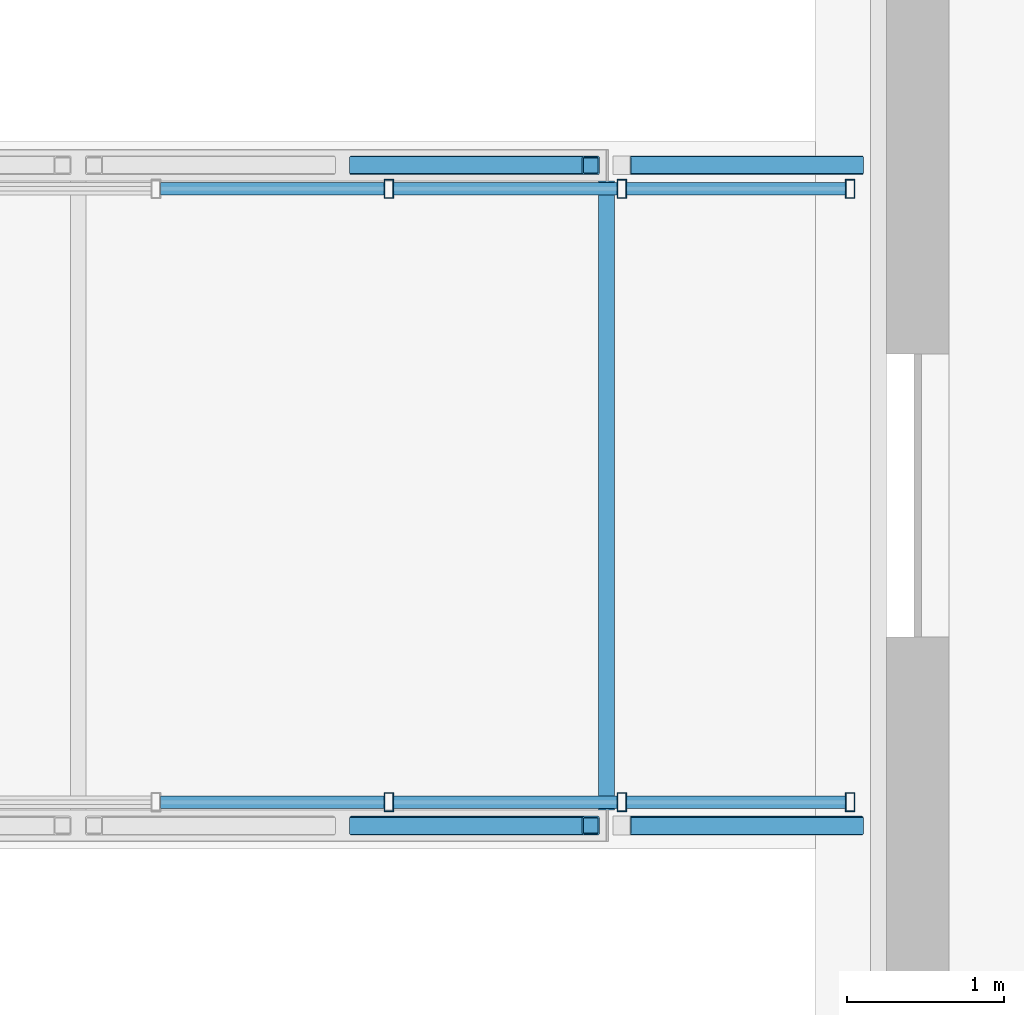
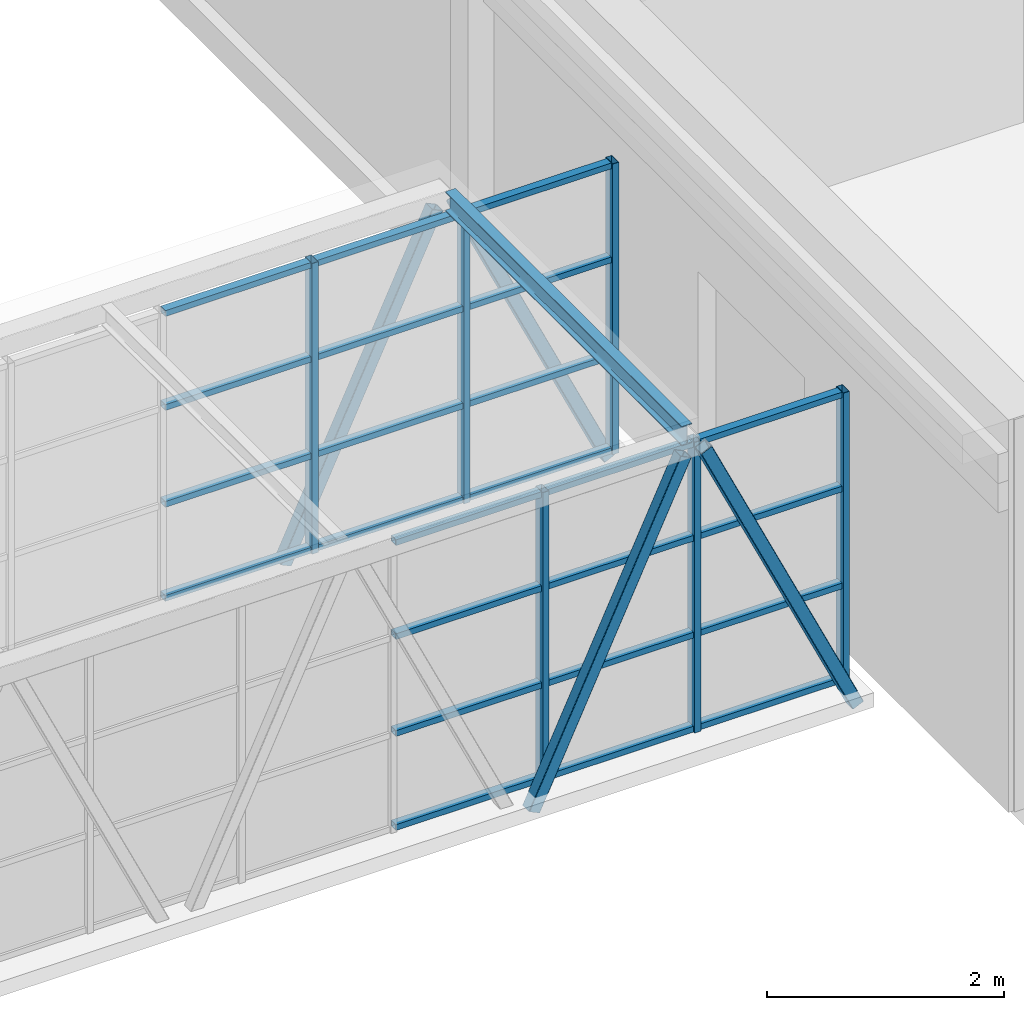
# One storey, part 70 of 149: 34 members, 1 beam, 2 elements without a shape of their own.
"""IFC4 building model written with IfcOpenShell, lengths in metres."""

from ifc_helpers import new_model, si_unit, direction, frame, origin, origin_2d, place, context, subcontext, project, spatial, hollow_rectangle, i_section, extrude, material, material_profile, profile_set, type_object, element, aggregate, save


model = new_model("IFC4")

# Units and contexts
model_context = context("Model", 3, precision=1e-05, world=origin(), true_north=direction((0.0, 1.0)))
body_context = subcontext(model_context, "Body", "Model", "MODEL_VIEW")
ifc_project = project(units=[si_unit("LENGTHUNIT", "METRE"), si_unit("AREAUNIT", "SQUARE_METRE"), si_unit("VOLUMEUNIT", "CUBIC_METRE"), si_unit("PLANEANGLEUNIT", "RADIAN"), si_unit("MASSUNIT", "GRAM", prefix="KILO")], contexts=[model_context])

# Site, building, storey
site_placement = place(None, origin())
site = spatial("IfcSite", under=ifc_project, at=site_placement, CompositionType="ELEMENT")
building_placement = place(site_placement, origin())
building = spatial("IfcBuilding", under=site, at=building_placement, Name="Kallimachos Central Library", CompositionType="ELEMENT")
storey_placement = place(building_placement, frame((0.0, 0.0, 9.89990234375)))
storey = spatial("IfcBuildingStorey", under=building, at=storey_placement, Name="L02", CompositionType="ELEMENT", Elevation=9.89990234375)

# Curtain wall, members
ifc_material_1 = material(Name="Aluminium and laminated glass", Category="aluminium")
curtain_wall_type = type_object("IfcCurtainWallType", Name="Link glazed wall", PredefinedType="NOTDEFINED", material=ifc_material_1)
curtain_wall_1_placement = place(storey_placement, origin())
curtain_wall_1 = element("IfcCurtainWall", 1, at=curtain_wall_1_placement, inside=storey, type_object=curtain_wall_type, Name="V1 to V3 bridge glazed side", PredefinedType="NOTDEFINED")
ifc_material_2 = material(Name="Anodised aluminium", Category="aluminium")
ifc_material_profile_1 = material_profile(ifc_material_2, hollow_rectangle(XDim=0.06005859375, YDim=0.1201171875, WallThickness=0.00390625, at=origin_2d()), Name="ALU MULLION 60x120")
ifc_profile_set_1 = profile_set([ifc_material_profile_1], Name="Anodised aluminium")
member_type_1 = type_object("IfcMemberType", Name="ALU MULLION 60x120 mullion", PredefinedType="MULLION", material=ifc_profile_set_1)
member_1_placement = place(storey_placement, frame((134.63623046875, 98.550048828125, 0.0), z_axis=(0.0, 0.0, 1.0), x_axis=(1.0, 0.0, 0.0)))
member_1 = element("IfcMember", 2, at=member_1_placement, type_object=member_type_1, Name="CW74 mullion 17", PredefinedType="MULLION", context=body_context, shape_type="SweptSolid", body=[
    extrude(hollow_rectangle(XDim=0.06005859375, YDim=0.1201171875, WallThickness=0.00390625, at=origin_2d()), origin(), (0.0, 0.0, 1.0), 3.0),
])
member_2_placement = place(storey_placement, frame((136.1181640625, 98.550048828125, 0.0), z_axis=(0.0, 0.0, 1.0), x_axis=(1.0, 0.0, 0.0)))
member_2 = element("IfcMember", 3, at=member_2_placement, type_object=member_type_1, Name="CW74 mullion 18", PredefinedType="MULLION", context=body_context, shape_type="SweptSolid", body=[
    extrude(hollow_rectangle(XDim=0.06005859375, YDim=0.1201171875, WallThickness=0.00390625, at=origin_2d()), origin(), (0.0, 0.0, 1.0), 3.0),
])
member_3_placement = place(storey_placement, frame((137.570068359375, 98.550048828125, 0.0), z_axis=(0.0, 0.0, 1.0), x_axis=(1.0, 0.0, 0.0)))
member_3 = element("IfcMember", 4, at=member_3_placement, type_object=member_type_1, Name="CW74 mullion 19", PredefinedType="MULLION", context=body_context, shape_type="SweptSolid", body=[
    extrude(hollow_rectangle(XDim=0.06005859375, YDim=0.1201171875, WallThickness=0.00390625, at=origin_2d()), origin(), (0.0, 0.0, 1.0), 3.0),
])

curtain_wall_2_placement = place(storey_placement, origin())
curtain_wall_2 = element("IfcCurtainWall", 5, at=curtain_wall_2_placement, inside=storey, type_object=curtain_wall_type, Name="V1 to V3 bridge glazed side", PredefinedType="NOTDEFINED")
member_4_placement = place(storey_placement, frame((134.63623046875, 102.449951171875, 0.0), z_axis=(0.0, 0.0, 1.0), x_axis=(1.0, 0.0, 0.0)))
member_4 = element("IfcMember", 6, at=member_4_placement, type_object=member_type_1, Name="CW75 mullion 17", PredefinedType="MULLION", context=body_context, shape_type="SweptSolid", body=[
    extrude(hollow_rectangle(XDim=0.06005859375, YDim=0.1201171875, WallThickness=0.00390625, at=origin_2d()), origin(), (0.0, 0.0, 1.0), 3.0),
])
member_5_placement = place(storey_placement, frame((136.1181640625, 102.449951171875, 0.0), z_axis=(0.0, 0.0, 1.0), x_axis=(1.0, 0.0, 0.0)))
member_5 = element("IfcMember", 7, at=member_5_placement, type_object=member_type_1, Name="CW75 mullion 18", PredefinedType="MULLION", context=body_context, shape_type="SweptSolid", body=[
    extrude(hollow_rectangle(XDim=0.06005859375, YDim=0.1201171875, WallThickness=0.00390625, at=origin_2d()), origin(), (0.0, 0.0, 1.0), 3.0),
])
member_6_placement = place(storey_placement, frame((137.570068359375, 102.449951171875, 0.0), z_axis=(0.0, 0.0, 1.0), x_axis=(1.0, 0.0, 0.0)))
member_6 = element("IfcMember", 8, at=member_6_placement, type_object=member_type_1, Name="CW75 mullion 19", PredefinedType="MULLION", context=body_context, shape_type="SweptSolid", body=[
    extrude(hollow_rectangle(XDim=0.06005859375, YDim=0.1201171875, WallThickness=0.00390625, at=origin_2d()), origin(), (0.0, 0.0, 1.0), 3.0),
])

# Member
ifc_material_3 = material(Name="Anodised aluminium", Category="aluminium")
ifc_material_profile_2 = material_profile(ifc_material_3, hollow_rectangle(XDim=0.06005859375, YDim=0.080078125, WallThickness=0.00390625, at=origin_2d()), Name="ALU TRANSOM 60x80")
ifc_profile_set_2 = profile_set([ifc_material_profile_2], Name="Anodised aluminium")
member_type_2 = type_object("IfcMemberType", Name="ALU TRANSOM 60x80 transom", PredefinedType="USERDEFINED", material=ifc_profile_set_2)
member_7_placement = place(storey_placement, frame((133.18408203125, 98.550048828125, 0.030029296875), z_axis=(1.0, 0.0, 0.0), x_axis=(0.0, 0.0, 1.0)))
member_7 = element("IfcMember", 9, at=member_7_placement, type_object=member_type_2, Name="CW74 transom 16.1", ObjectType="TRANSOM", PredefinedType="USERDEFINED", context=body_context, shape_type="SweptSolid", body=[
    extrude(hollow_rectangle(XDim=0.06005859375, YDim=0.080078125, WallThickness=0.00390625, at=origin_2d()), origin(), (0.0, 0.0, 1.0), 1.422119140625),
])

member_8_placement = place(storey_placement, frame((133.18408203125, 98.550048828125, 1.0), z_axis=(1.0, 0.0, 0.0), x_axis=(0.0, 0.0, 1.0)))
member_8 = element("IfcMember", 10, at=member_8_placement, type_object=member_type_2, Name="CW74 transom 16.2", ObjectType="TRANSOM", PredefinedType="USERDEFINED", context=body_context, shape_type="SweptSolid", body=[
    extrude(hollow_rectangle(XDim=0.06005859375, YDim=0.080078125, WallThickness=0.00390625, at=origin_2d()), origin(), (0.0, 0.0, 1.0), 1.422119140625),
])

member_9_placement = place(storey_placement, frame((133.18408203125, 98.550048828125, 2.0), z_axis=(1.0, 0.0, 0.0), x_axis=(0.0, 0.0, 1.0)))
member_9 = element("IfcMember", 11, at=member_9_placement, type_object=member_type_2, Name="CW74 transom 16.3", ObjectType="TRANSOM", PredefinedType="USERDEFINED", context=body_context, shape_type="SweptSolid", body=[
    extrude(hollow_rectangle(XDim=0.06005859375, YDim=0.080078125, WallThickness=0.00390625, at=origin_2d()), origin(), (0.0, 0.0, 1.0), 1.422119140625),
])

member_10_placement = place(storey_placement, frame((133.18408203125, 98.550048828125, 2.97021484375), z_axis=(1.0, 0.0, 0.0), x_axis=(0.0, 0.0, 1.0)))
member_10 = element("IfcMember", 12, at=member_10_placement, type_object=member_type_2, Name="CW74 transom 16.4", ObjectType="TRANSOM", PredefinedType="USERDEFINED", context=body_context, shape_type="SweptSolid", body=[
    extrude(hollow_rectangle(XDim=0.06005859375, YDim=0.080078125, WallThickness=0.00390625, at=origin_2d()), origin(), (0.0, 0.0, 1.0), 1.422119140625),
])

member_11_placement = place(storey_placement, frame((134.666015625, 98.550048828125, 0.030029296875), z_axis=(1.0, 0.0, 0.0), x_axis=(0.0, 0.0, 1.0)))
member_11 = element("IfcMember", 13, at=member_11_placement, type_object=member_type_2, Name="CW74 transom 17.1", ObjectType="TRANSOM", PredefinedType="USERDEFINED", context=body_context, shape_type="SweptSolid", body=[
    extrude(hollow_rectangle(XDim=0.06005859375, YDim=0.080078125, WallThickness=0.00390625, at=origin_2d()), origin(), (0.0, 0.0, 1.0), 1.422119140625),
])

member_12_placement = place(storey_placement, frame((134.666015625, 98.550048828125, 1.0), z_axis=(1.0, 0.0, 0.0), x_axis=(0.0, 0.0, 1.0)))
member_12 = element("IfcMember", 14, at=member_12_placement, type_object=member_type_2, Name="CW74 transom 17.2", ObjectType="TRANSOM", PredefinedType="USERDEFINED", context=body_context, shape_type="SweptSolid", body=[
    extrude(hollow_rectangle(XDim=0.06005859375, YDim=0.080078125, WallThickness=0.00390625, at=origin_2d()), origin(), (0.0, 0.0, 1.0), 1.422119140625),
])

member_13_placement = place(storey_placement, frame((134.666015625, 98.550048828125, 2.0), z_axis=(1.0, 0.0, 0.0), x_axis=(0.0, 0.0, 1.0)))
member_13 = element("IfcMember", 15, at=member_13_placement, type_object=member_type_2, Name="CW74 transom 17.3", ObjectType="TRANSOM", PredefinedType="USERDEFINED", context=body_context, shape_type="SweptSolid", body=[
    extrude(hollow_rectangle(XDim=0.06005859375, YDim=0.080078125, WallThickness=0.00390625, at=origin_2d()), origin(), (0.0, 0.0, 1.0), 1.422119140625),
])

member_14_placement = place(storey_placement, frame((134.666015625, 98.550048828125, 2.97021484375), z_axis=(1.0, 0.0, 0.0), x_axis=(0.0, 0.0, 1.0)))
member_14 = element("IfcMember", 16, at=member_14_placement, type_object=member_type_2, Name="CW74 transom 17.4", ObjectType="TRANSOM", PredefinedType="USERDEFINED", context=body_context, shape_type="SweptSolid", body=[
    extrude(hollow_rectangle(XDim=0.06005859375, YDim=0.080078125, WallThickness=0.00390625, at=origin_2d()), origin(), (0.0, 0.0, 1.0), 1.422119140625),
])

member_15_placement = place(storey_placement, frame((136.14794921875, 98.550048828125, 0.030029296875), z_axis=(1.0, 0.0, 0.0), x_axis=(0.0, 0.0, 1.0)))
member_15 = element("IfcMember", 17, at=member_15_placement, type_object=member_type_2, Name="CW74 transom 18.1", ObjectType="TRANSOM", PredefinedType="USERDEFINED", context=body_context, shape_type="SweptSolid", body=[
    extrude(hollow_rectangle(XDim=0.06005859375, YDim=0.080078125, WallThickness=0.00390625, at=origin_2d()), origin(), (0.0, 0.0, 1.0), 1.39208984375),
])

member_16_placement = place(storey_placement, frame((136.14794921875, 98.550048828125, 1.0), z_axis=(1.0, 0.0, 0.0), x_axis=(0.0, 0.0, 1.0)))
member_16 = element("IfcMember", 18, at=member_16_placement, type_object=member_type_2, Name="CW74 transom 18.2", ObjectType="TRANSOM", PredefinedType="USERDEFINED", context=body_context, shape_type="SweptSolid", body=[
    extrude(hollow_rectangle(XDim=0.06005859375, YDim=0.080078125, WallThickness=0.00390625, at=origin_2d()), origin(), (0.0, 0.0, 1.0), 1.39208984375),
])

member_17_placement = place(storey_placement, frame((136.14794921875, 98.550048828125, 2.0), z_axis=(1.0, 0.0, 0.0), x_axis=(0.0, 0.0, 1.0)))
member_17 = element("IfcMember", 19, at=member_17_placement, type_object=member_type_2, Name="CW74 transom 18.3", ObjectType="TRANSOM", PredefinedType="USERDEFINED", context=body_context, shape_type="SweptSolid", body=[
    extrude(hollow_rectangle(XDim=0.06005859375, YDim=0.080078125, WallThickness=0.00390625, at=origin_2d()), origin(), (0.0, 0.0, 1.0), 1.39208984375),
])

member_18_placement = place(storey_placement, frame((136.14794921875, 98.550048828125, 2.97021484375), z_axis=(1.0, 0.0, 0.0), x_axis=(0.0, 0.0, 1.0)))
member_18 = element("IfcMember", 20, at=member_18_placement, type_object=member_type_2, Name="CW74 transom 18.4", ObjectType="TRANSOM", PredefinedType="USERDEFINED", context=body_context, shape_type="SweptSolid", body=[
    extrude(hollow_rectangle(XDim=0.06005859375, YDim=0.080078125, WallThickness=0.00390625, at=origin_2d()), origin(), (0.0, 0.0, 1.0), 1.39208984375),
])

aggregate(curtain_wall_1, [member_1, member_2, member_3, member_7, member_8, member_9, member_10, member_11, member_12, member_13, member_14, member_15, member_16, member_17, member_18])

member_19_placement = place(storey_placement, frame((133.18408203125, 102.449951171875, 0.030029296875), z_axis=(1.0, 0.0, 0.0), x_axis=(0.0, 0.0, 1.0)))
member_19 = element("IfcMember", 21, at=member_19_placement, type_object=member_type_2, Name="CW75 transom 16.1", ObjectType="TRANSOM", PredefinedType="USERDEFINED", context=body_context, shape_type="SweptSolid", body=[
    extrude(hollow_rectangle(XDim=0.06005859375, YDim=0.080078125, WallThickness=0.00390625, at=origin_2d()), origin(), (0.0, 0.0, 1.0), 1.422119140625),
])

member_20_placement = place(storey_placement, frame((133.18408203125, 102.449951171875, 1.0), z_axis=(1.0, 0.0, 0.0), x_axis=(0.0, 0.0, 1.0)))
member_20 = element("IfcMember", 22, at=member_20_placement, type_object=member_type_2, Name="CW75 transom 16.2", ObjectType="TRANSOM", PredefinedType="USERDEFINED", context=body_context, shape_type="SweptSolid", body=[
    extrude(hollow_rectangle(XDim=0.06005859375, YDim=0.080078125, WallThickness=0.00390625, at=origin_2d()), origin(), (0.0, 0.0, 1.0), 1.422119140625),
])

member_21_placement = place(storey_placement, frame((133.18408203125, 102.449951171875, 2.0), z_axis=(1.0, 0.0, 0.0), x_axis=(0.0, 0.0, 1.0)))
member_21 = element("IfcMember", 23, at=member_21_placement, type_object=member_type_2, Name="CW75 transom 16.3", ObjectType="TRANSOM", PredefinedType="USERDEFINED", context=body_context, shape_type="SweptSolid", body=[
    extrude(hollow_rectangle(XDim=0.06005859375, YDim=0.080078125, WallThickness=0.00390625, at=origin_2d()), origin(), (0.0, 0.0, 1.0), 1.422119140625),
])

member_22_placement = place(storey_placement, frame((133.18408203125, 102.449951171875, 2.97021484375), z_axis=(1.0, 0.0, 0.0), x_axis=(0.0, 0.0, 1.0)))
member_22 = element("IfcMember", 24, at=member_22_placement, type_object=member_type_2, Name="CW75 transom 16.4", ObjectType="TRANSOM", PredefinedType="USERDEFINED", context=body_context, shape_type="SweptSolid", body=[
    extrude(hollow_rectangle(XDim=0.06005859375, YDim=0.080078125, WallThickness=0.00390625, at=origin_2d()), origin(), (0.0, 0.0, 1.0), 1.422119140625),
])

member_23_placement = place(storey_placement, frame((134.666015625, 102.449951171875, 0.030029296875), z_axis=(1.0, 0.0, 0.0), x_axis=(0.0, 0.0, 1.0)))
member_23 = element("IfcMember", 25, at=member_23_placement, type_object=member_type_2, Name="CW75 transom 17.1", ObjectType="TRANSOM", PredefinedType="USERDEFINED", context=body_context, shape_type="SweptSolid", body=[
    extrude(hollow_rectangle(XDim=0.06005859375, YDim=0.080078125, WallThickness=0.00390625, at=origin_2d()), origin(), (0.0, 0.0, 1.0), 1.422119140625),
])

member_24_placement = place(storey_placement, frame((134.666015625, 102.449951171875, 1.0), z_axis=(1.0, 0.0, 0.0), x_axis=(0.0, 0.0, 1.0)))
member_24 = element("IfcMember", 26, at=member_24_placement, type_object=member_type_2, Name="CW75 transom 17.2", ObjectType="TRANSOM", PredefinedType="USERDEFINED", context=body_context, shape_type="SweptSolid", body=[
    extrude(hollow_rectangle(XDim=0.06005859375, YDim=0.080078125, WallThickness=0.00390625, at=origin_2d()), origin(), (0.0, 0.0, 1.0), 1.422119140625),
])

member_25_placement = place(storey_placement, frame((134.666015625, 102.449951171875, 2.0), z_axis=(1.0, 0.0, 0.0), x_axis=(0.0, 0.0, 1.0)))
member_25 = element("IfcMember", 27, at=member_25_placement, type_object=member_type_2, Name="CW75 transom 17.3", ObjectType="TRANSOM", PredefinedType="USERDEFINED", context=body_context, shape_type="SweptSolid", body=[
    extrude(hollow_rectangle(XDim=0.06005859375, YDim=0.080078125, WallThickness=0.00390625, at=origin_2d()), origin(), (0.0, 0.0, 1.0), 1.422119140625),
])

member_26_placement = place(storey_placement, frame((134.666015625, 102.449951171875, 2.97021484375), z_axis=(1.0, 0.0, 0.0), x_axis=(0.0, 0.0, 1.0)))
member_26 = element("IfcMember", 28, at=member_26_placement, type_object=member_type_2, Name="CW75 transom 17.4", ObjectType="TRANSOM", PredefinedType="USERDEFINED", context=body_context, shape_type="SweptSolid", body=[
    extrude(hollow_rectangle(XDim=0.06005859375, YDim=0.080078125, WallThickness=0.00390625, at=origin_2d()), origin(), (0.0, 0.0, 1.0), 1.422119140625),
])

member_27_placement = place(storey_placement, frame((136.14794921875, 102.449951171875, 0.030029296875), z_axis=(1.0, 0.0, 0.0), x_axis=(0.0, 0.0, 1.0)))
member_27 = element("IfcMember", 29, at=member_27_placement, type_object=member_type_2, Name="CW75 transom 18.1", ObjectType="TRANSOM", PredefinedType="USERDEFINED", context=body_context, shape_type="SweptSolid", body=[
    extrude(hollow_rectangle(XDim=0.06005859375, YDim=0.080078125, WallThickness=0.00390625, at=origin_2d()), origin(), (0.0, 0.0, 1.0), 1.39208984375),
])

member_28_placement = place(storey_placement, frame((136.14794921875, 102.449951171875, 1.0), z_axis=(1.0, 0.0, 0.0), x_axis=(0.0, 0.0, 1.0)))
member_28 = element("IfcMember", 30, at=member_28_placement, type_object=member_type_2, Name="CW75 transom 18.2", ObjectType="TRANSOM", PredefinedType="USERDEFINED", context=body_context, shape_type="SweptSolid", body=[
    extrude(hollow_rectangle(XDim=0.06005859375, YDim=0.080078125, WallThickness=0.00390625, at=origin_2d()), origin(), (0.0, 0.0, 1.0), 1.39208984375),
])

member_29_placement = place(storey_placement, frame((136.14794921875, 102.449951171875, 2.0), z_axis=(1.0, 0.0, 0.0), x_axis=(0.0, 0.0, 1.0)))
member_29 = element("IfcMember", 31, at=member_29_placement, type_object=member_type_2, Name="CW75 transom 18.3", ObjectType="TRANSOM", PredefinedType="USERDEFINED", context=body_context, shape_type="SweptSolid", body=[
    extrude(hollow_rectangle(XDim=0.06005859375, YDim=0.080078125, WallThickness=0.00390625, at=origin_2d()), origin(), (0.0, 0.0, 1.0), 1.39208984375),
])

member_30_placement = place(storey_placement, frame((136.14794921875, 102.449951171875, 2.97021484375), z_axis=(1.0, 0.0, 0.0), x_axis=(0.0, 0.0, 1.0)))
member_30 = element("IfcMember", 32, at=member_30_placement, type_object=member_type_2, Name="CW75 transom 18.4", ObjectType="TRANSOM", PredefinedType="USERDEFINED", context=body_context, shape_type="SweptSolid", body=[
    extrude(hollow_rectangle(XDim=0.06005859375, YDim=0.080078125, WallThickness=0.00390625, at=origin_2d()), origin(), (0.0, 0.0, 1.0), 1.39208984375),
])

aggregate(curtain_wall_2, [member_4, member_5, member_6, member_19, member_20, member_21, member_22, member_23, member_24, member_25, member_26, member_27, member_28, member_29, member_30])

# Beam
ifc_material_4 = material(Name="Steel S355J2", Category="steel")
ifc_material_profile_3 = material_profile(ifc_material_4, i_section(OverallWidth=0.10009765625, OverallDepth=0.199951171875, WebThickness=0.005615234375, FlangeThickness=0.008544921875, FilletRadius=0.011962890625, at=origin_2d()), Name="IPE 200")
ifc_profile_set_3 = profile_set([ifc_material_profile_3], Name="Steel S355J2")
beam_type = type_object("IfcBeamType", Name="IPE 200 beam", PredefinedType="BEAM", material=ifc_profile_set_3)
beam_placement = place(storey_placement, frame((136.020263671875, 98.5, 3.10009765625), z_axis=(0.0, 1.0, 0.0), x_axis=(-1.0, 0.0, 0.0)))
element("IfcBeam", 33, at=beam_placement, inside=storey, type_object=beam_type, Name="B-E roof cross beam", PredefinedType="BEAM", context=body_context, shape_type="SweptSolid", body=[
    extrude(i_section(OverallWidth=0.10009765625, OverallDepth=0.199951171875, WebThickness=0.005615234375, FlangeThickness=0.008544921875, FilletRadius=0.011962890625, at=origin_2d()), origin(), (0.0, 0.0, 1.0), 4.0),
])

# Members
ifc_material_5 = material(Name="Steel S355J2H", Category="steel")
ifc_material_profile_4 = material_profile(ifc_material_5, hollow_rectangle(XDim=0.1201171875, YDim=0.1201171875, WallThickness=0.008056640625, InnerFilletRadius=0.008056640625, OuterFilletRadius=0.011962890625, at=origin_2d()), Name="SHS 120x120x8")
ifc_profile_set_4 = profile_set([ifc_material_profile_4], Name="Steel S355J2H")
member_type_3 = type_object("IfcMemberType", Name="SHS 120x120x8 web", PredefinedType="BRACE", material=ifc_profile_set_4)
for number, where, z_axis, x_axis, name in (
    (34, (134.440673828125, 98.39990234375, -0.14990234375), (0.425192201844, 0.0, 0.905103083351), (0.0, 1.0, 0.0), "links-MEM-L02-050"),
    (35, (136.120361328125, 98.39990234375, 3.0), (0.425192201844, 0.0, -0.905103083351), (0.0, 1.0, 0.0), "links-MEM-L02-051"),
    (36, (134.440673828125, 102.60009765625, -0.14990234375), (0.425192201844, 0.0, 0.905103083351), (0.0, 1.0, 0.0), "links-MEM-L02-067"),
    (37, (136.120361328125, 102.60009765625, 3.0), (0.425192201844, 0.0, -0.905103083351), (0.0, 1.0, 0.0), "links-MEM-L02-068"),
):
    element("IfcMember", number, at=place(storey_placement, frame(where, z_axis=z_axis, x_axis=x_axis)), inside=storey, type_object=member_type_3, Name=name, PredefinedType="BRACE", context=body_context, shape_type="SweptSolid", body=[
        extrude(hollow_rectangle(XDim=0.1201171875, YDim=0.1201171875, WallThickness=0.008056640625, InnerFilletRadius=0.008056640625, OuterFilletRadius=0.011962890625, at=origin_2d()), origin(), (0.0, 0.0, 1.0), 3.480224609375),
    ])

save(model, "model.ifc")
